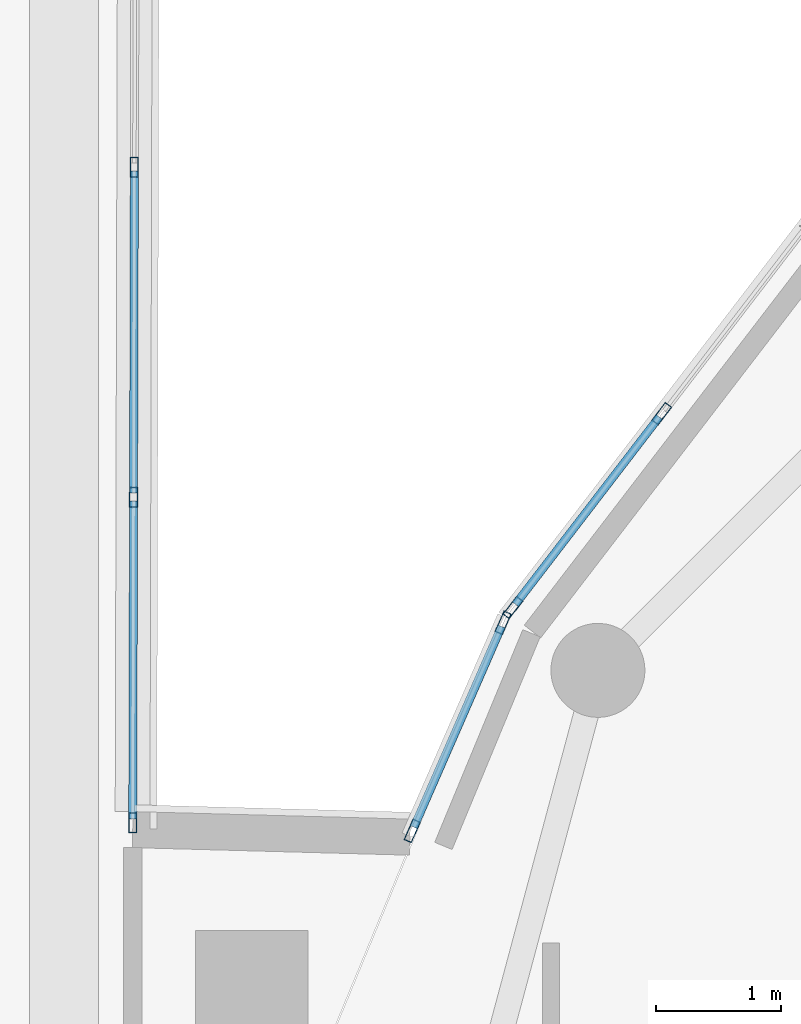
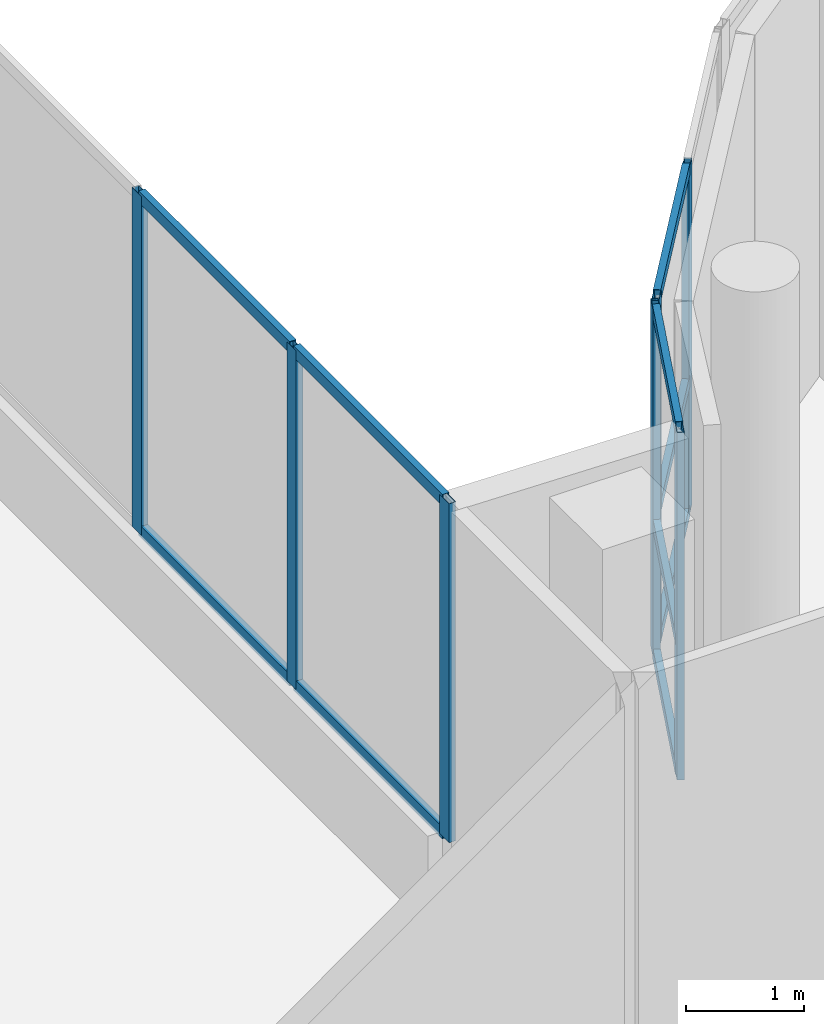
# One storey, part 58 of 168: 17 members, 3 elements without a shape of their own.
"""IFC4 building model written with IfcOpenShell, lengths in metres."""

from ifc_helpers import new_model, si_unit, direction, frame, origin, origin_2d, place, context, subcontext, project, spatial, hollow_rectangle, extrude, material, material_profile, profile_set, type_object, element, aggregate, save


model = new_model("IFC4")

# Units and contexts
model_context = context("Model", 3, precision=1e-05, world=origin(), true_north=direction((0.0, 1.0)))
body_context = subcontext(model_context, "Body", "Model", "MODEL_VIEW")
ifc_project = project(units=[si_unit("LENGTHUNIT", "METRE"), si_unit("AREAUNIT", "SQUARE_METRE"), si_unit("VOLUMEUNIT", "CUBIC_METRE"), si_unit("PLANEANGLEUNIT", "RADIAN"), si_unit("MASSUNIT", "GRAM", prefix="KILO")], contexts=[model_context])

# Site, building, storey
site_placement = place(None, origin())
site = spatial("IfcSite", under=ifc_project, at=site_placement, CompositionType="ELEMENT")
building_placement = place(site_placement, origin())
building = spatial("IfcBuilding", under=site, at=building_placement, Name="Selatvlak General Hospital", CompositionType="ELEMENT")
storey_placement = place(building_placement, frame((0.0, 0.0, 5.39990234375)))
storey = spatial("IfcBuildingStorey", under=building, at=storey_placement, Name="L01", CompositionType="ELEMENT", Elevation=5.39990234375)

# Curtain wall, members
ifc_material_1 = material(Name="Solar-control Low-E double glazing", Category="glass")
curtain_wall_type_1 = type_object("IfcCurtainWallType", Name="CW-CW-01", PredefinedType="USERDEFINED", material=ifc_material_1)
curtain_wall_1_placement = place(storey_placement, origin())
curtain_wall_1 = element("IfcCurtainWall", 1, at=curtain_wall_1_placement, inside=storey, type_object=curtain_wall_type_1, Name="Glazed facade curtain wall CW-L01-0228", ObjectType="UNITISED CURTAIN WALL", PredefinedType="USERDEFINED")
ifc_material_2 = material(Name="Dark anodised aluminium mullion", Category="aluminium")
ifc_material_profile_1 = material_profile(ifc_material_2, hollow_rectangle(XDim=0.06494140625, YDim=0.159912109375, WallThickness=0.00390625, at=origin_2d()), Name="AL-MUL 65x160x4")
ifc_profile_set_1 = profile_set([ifc_material_profile_1], Name="Dark anodised aluminium mullion")
member_type_1 = type_object("IfcMemberType", Name="CWM-01", PredefinedType="MULLION", material=ifc_profile_set_1)
member_1_placement = place(storey_placement, frame((81.61328125, 65.341552734375, 0.940185546875), z_axis=(0.0, 0.0, 1.0), x_axis=(0.999996795401, -0.002531637448, 0.0)))
member_1 = element("IfcMember", 2, at=member_1_placement, type_object=member_type_1, Name="CW-01 mullion 2", PredefinedType="MULLION", context=body_context, shape_type="SweptSolid", body=[
    extrude(hollow_rectangle(XDim=0.06494140625, YDim=0.159912109375, WallThickness=0.00390625, at=origin_2d()), origin(), (0.0, 0.0, 1.0), 3.5048828125),
])
member_2_placement = place(storey_placement, frame((81.606689453125, 62.708251953125, 0.940185546875), z_axis=(0.0, 0.0, 1.0), x_axis=(0.999996795401, -0.002531637448, 0.0)))
member_2 = element("IfcMember", 3, at=member_2_placement, type_object=member_type_1, Name="CW-01 mullion 3", PredefinedType="MULLION", context=body_context, shape_type="SweptSolid", body=[
    extrude(hollow_rectangle(XDim=0.06494140625, YDim=0.159912109375, WallThickness=0.00390625, at=origin_2d()), origin(), (0.0, 0.0, 1.0), 3.5048828125),
])
member_3_placement = place(storey_placement, frame((81.60009765625, 60.107421875, 0.940185546875), z_axis=(0.0, 0.0, 1.0), x_axis=(0.999996795401, -0.002531637448, 0.0)))
member_3 = element("IfcMember", 4, at=member_3_placement, type_object=member_type_1, Name="CW-01 mullion 4", PredefinedType="MULLION", context=body_context, shape_type="SweptSolid", body=[
    extrude(hollow_rectangle(XDim=0.06494140625, YDim=0.159912109375, WallThickness=0.00390625, at=origin_2d()), origin(), (0.0, 0.0, 1.0), 3.5048828125),
])

curtain_wall_type_2 = type_object("IfcCurtainWallType", Name="CW-CW-04", PredefinedType="USERDEFINED", material=ifc_material_1)
curtain_wall_2_placement = place(storey_placement, origin())
curtain_wall_2 = element("IfcCurtainWall", 5, at=curtain_wall_2_placement, inside=storey, type_object=curtain_wall_type_2, Name="Glazed facade curtain wall CW-L01-0215", ObjectType="STICK GLAZING WALL", PredefinedType="USERDEFINED")
ifc_material_profile_2 = material_profile(ifc_material_2, hollow_rectangle(XDim=0.06494140625, YDim=0.179931640625, WallThickness=0.00439453125, at=origin_2d()), Name="AL-MUL 65x180x4.5")
ifc_profile_set_2 = profile_set([ifc_material_profile_2], Name="Dark anodised aluminium mullion")
member_type_2 = type_object("IfcMemberType", Name="CWM-02", PredefinedType="MULLION", material=ifc_profile_set_2)
member_4_placement = place(storey_placement, frame((83.8310546875, 60.043701171875, 0.85009765625), z_axis=(0.0, 0.0, 1.0), x_axis=(-0.916340540379, 0.400399817754, 0.0)))
member_4 = element("IfcMember", 6, at=member_4_placement, type_object=member_type_2, Name="CW-04 mullion 1", PredefinedType="MULLION", context=body_context, shape_type="SweptSolid", body=[
    extrude(hollow_rectangle(XDim=0.06494140625, YDim=0.179931640625, WallThickness=0.00439453125, at=origin_2d()), origin(), (0.0, 0.0, 1.0), 3.594970703125),
])
member_5_placement = place(storey_placement, frame((84.556884765625, 61.705322265625, 0.85009765625), z_axis=(0.0, 0.0, 1.0), x_axis=(-0.916340540379, 0.400399817754, 0.0)))
member_5 = element("IfcMember", 7, at=member_5_placement, type_object=member_type_2, Name="CW-04 mullion 2", PredefinedType="MULLION", context=body_context, shape_type="SweptSolid", body=[
    extrude(hollow_rectangle(XDim=0.06494140625, YDim=0.179931640625, WallThickness=0.00439453125, at=origin_2d()), origin(), (0.0, 0.0, 1.0), 3.594970703125),
])

curtain_wall_type_3 = type_object("IfcCurtainWallType", Name="CW-CW-05", PredefinedType="USERDEFINED", material=ifc_material_1)
curtain_wall_3_placement = place(storey_placement, origin())
curtain_wall_3 = element("IfcCurtainWall", 8, at=curtain_wall_3_placement, inside=storey, type_object=curtain_wall_type_3, Name="Glazed facade curtain wall CW-L01-0216", ObjectType="STICK GLAZING WALL", PredefinedType="USERDEFINED")
member_6_placement = place(storey_placement, frame((84.634765625, 61.82666015625, 0.85009765625), z_axis=(0.0, 0.0, 1.0), x_axis=(-0.793232853917, 0.608918417743, 0.0)))
member_6 = element("IfcMember", 9, at=member_6_placement, type_object=member_type_2, Name="CW-05 mullion 1", PredefinedType="MULLION", context=body_context, shape_type="SweptSolid", body=[
    extrude(hollow_rectangle(XDim=0.06494140625, YDim=0.179931640625, WallThickness=0.00439453125, at=origin_2d()), origin(), (0.0, 0.0, 1.0), 3.594970703125),
])
member_7_placement = place(storey_placement, frame((85.822509765625, 63.3740234375, 0.85009765625), z_axis=(0.0, 0.0, 1.0), x_axis=(-0.793232853917, 0.608918417743, 0.0)))
member_7 = element("IfcMember", 10, at=member_7_placement, type_object=member_type_2, Name="CW-05 mullion 2", PredefinedType="MULLION", context=body_context, shape_type="SweptSolid", body=[
    extrude(hollow_rectangle(XDim=0.06494140625, YDim=0.179931640625, WallThickness=0.00439453125, at=origin_2d()), origin(), (0.0, 0.0, 1.0), 3.594970703125),
])

# Member
ifc_material_profile_3 = material_profile(ifc_material_2, hollow_rectangle(XDim=0.06494140625, YDim=0.1201171875, WallThickness=0.00390625, at=origin_2d()), Name="AL-TRN 65x120x4")
ifc_profile_set_3 = profile_set([ifc_material_profile_3], Name="Dark anodised aluminium mullion")
member_type_3 = type_object("IfcMemberType", Name="CWT-01", PredefinedType="USERDEFINED", material=ifc_profile_set_3)
member_8_placement = place(storey_placement, frame((83.843994140625, 60.073486328125, 0.882568359375), z_axis=(0.400364592427, 0.916355931465, 0.0), x_axis=(-0.916355931465, 0.400364592427, 0.0)))
member_8 = element("IfcMember", 11, at=member_8_placement, type_object=member_type_3, Name="CW-04 transom 1.1", ObjectType="TRANSOM", PredefinedType="USERDEFINED", context=body_context, shape_type="SweptSolid", body=[
    extrude(hollow_rectangle(XDim=0.06494140625, YDim=0.1201171875, WallThickness=0.00390625, at=origin_2d()), origin(), (0.0, 0.0, 1.0), 1.748291015625),
])

member_9_placement = place(storey_placement, frame((83.843994140625, 60.073486328125, 2.22314453125), z_axis=(0.400364592427, 0.916355931465, 0.0), x_axis=(-0.916355931465, 0.400364592427, 0.0)))
member_9 = element("IfcMember", 12, at=member_9_placement, type_object=member_type_3, Name="CW-04 transom 1.2", ObjectType="TRANSOM", PredefinedType="USERDEFINED", context=body_context, shape_type="SweptSolid", body=[
    extrude(hollow_rectangle(XDim=0.06494140625, YDim=0.1201171875, WallThickness=0.00390625, at=origin_2d()), origin(), (0.0, 0.0, 1.0), 1.748291015625),
])

member_10_placement = place(storey_placement, frame((83.843994140625, 60.073486328125, 4.41259765625), z_axis=(0.400364592427, 0.916355931465, 0.0), x_axis=(-0.916355931465, 0.400364592427, 0.0)))
member_10 = element("IfcMember", 13, at=member_10_placement, type_object=member_type_3, Name="CW-04 transom 1.3", ObjectType="TRANSOM", PredefinedType="USERDEFINED", context=body_context, shape_type="SweptSolid", body=[
    extrude(hollow_rectangle(XDim=0.06494140625, YDim=0.1201171875, WallThickness=0.00390625, at=origin_2d()), origin(), (0.0, 0.0, 1.0), 1.748291015625),
])

aggregate(curtain_wall_2, [member_4, member_5, member_8, member_9, member_10])

member_11_placement = place(storey_placement, frame((84.654541015625, 61.8525390625, 0.882568359375), z_axis=(0.608953326487, 0.793206055297, 0.0), x_axis=(-0.793206055297, 0.608953326487, 0.0)))
member_11 = element("IfcMember", 14, at=member_11_placement, type_object=member_type_3, Name="CW-05 transom 1.1", ObjectType="TRANSOM", PredefinedType="USERDEFINED", context=body_context, shape_type="SweptSolid", body=[
    extrude(hollow_rectangle(XDim=0.06494140625, YDim=0.1201171875, WallThickness=0.00390625, at=origin_2d()), origin(), (0.0, 0.0, 1.0), 1.885498046875),
])

member_12_placement = place(storey_placement, frame((84.654541015625, 61.8525390625, 2.22314453125), z_axis=(0.608953326487, 0.793206055297, 0.0), x_axis=(-0.793206055297, 0.608953326487, 0.0)))
member_12 = element("IfcMember", 15, at=member_12_placement, type_object=member_type_3, Name="CW-05 transom 1.2", ObjectType="TRANSOM", PredefinedType="USERDEFINED", context=body_context, shape_type="SweptSolid", body=[
    extrude(hollow_rectangle(XDim=0.06494140625, YDim=0.1201171875, WallThickness=0.00390625, at=origin_2d()), origin(), (0.0, 0.0, 1.0), 1.885498046875),
])

member_13_placement = place(storey_placement, frame((84.654541015625, 61.8525390625, 4.41259765625), z_axis=(0.608953326487, 0.793206055297, 0.0), x_axis=(-0.793206055297, 0.608953326487, 0.0)))
member_13 = element("IfcMember", 16, at=member_13_placement, type_object=member_type_3, Name="CW-05 transom 1.3", ObjectType="TRANSOM", PredefinedType="USERDEFINED", context=body_context, shape_type="SweptSolid", body=[
    extrude(hollow_rectangle(XDim=0.06494140625, YDim=0.1201171875, WallThickness=0.00390625, at=origin_2d()), origin(), (0.0, 0.0, 1.0), 1.885498046875),
])

aggregate(curtain_wall_3, [member_6, member_7, member_11, member_12, member_13])

member_14_placement = place(storey_placement, frame((81.61328125, 65.30908203125, 0.97265625), z_axis=(-0.002566531471, -0.999996706453, 0.0), x_axis=(0.999996706453, -0.002566531471, 0.0)))
member_14 = element("IfcMember", 17, at=member_14_placement, type_object=member_type_3, Name="CW-01 transom 2.1", ObjectType="TRANSOM", PredefinedType="USERDEFINED", context=body_context, shape_type="SweptSolid", body=[
    extrude(hollow_rectangle(XDim=0.06494140625, YDim=0.1201171875, WallThickness=0.00390625, at=origin_2d()), origin(), (0.0, 0.0, 1.0), 2.568359375),
])

member_15_placement = place(storey_placement, frame((81.61328125, 65.30908203125, 4.41259765625), z_axis=(-0.002566531471, -0.999996706453, 0.0), x_axis=(0.999996706453, -0.002566531471, 0.0)))
member_15 = element("IfcMember", 18, at=member_15_placement, type_object=member_type_3, Name="CW-01 transom 2.2", ObjectType="TRANSOM", PredefinedType="USERDEFINED", context=body_context, shape_type="SweptSolid", body=[
    extrude(hollow_rectangle(XDim=0.06494140625, YDim=0.1201171875, WallThickness=0.00390625, at=origin_2d()), origin(), (0.0, 0.0, 1.0), 2.568359375),
])

member_16_placement = place(storey_placement, frame((81.606689453125, 62.67578125, 0.97265625), z_axis=(-0.002599394318, -0.999996621569, 0.0), x_axis=(0.999996621569, -0.002599394318, 0.0)))
member_16 = element("IfcMember", 19, at=member_16_placement, type_object=member_type_3, Name="CW-01 transom 3.1", ObjectType="TRANSOM", PredefinedType="USERDEFINED", context=body_context, shape_type="SweptSolid", body=[
    extrude(hollow_rectangle(XDim=0.06494140625, YDim=0.1201171875, WallThickness=0.00390625, at=origin_2d()), origin(), (0.0, 0.0, 1.0), 2.535888671875),
])

member_17_placement = place(storey_placement, frame((81.606689453125, 62.67578125, 4.41259765625), z_axis=(-0.002599394318, -0.999996621569, 0.0), x_axis=(0.999996621569, -0.002599394318, 0.0)))
member_17 = element("IfcMember", 20, at=member_17_placement, type_object=member_type_3, Name="CW-01 transom 3.2", ObjectType="TRANSOM", PredefinedType="USERDEFINED", context=body_context, shape_type="SweptSolid", body=[
    extrude(hollow_rectangle(XDim=0.06494140625, YDim=0.1201171875, WallThickness=0.00390625, at=origin_2d()), origin(), (0.0, 0.0, 1.0), 2.535888671875),
])

aggregate(curtain_wall_1, [member_1, member_2, member_3, member_14, member_15, member_16, member_17])

save(model, "model.ifc")
